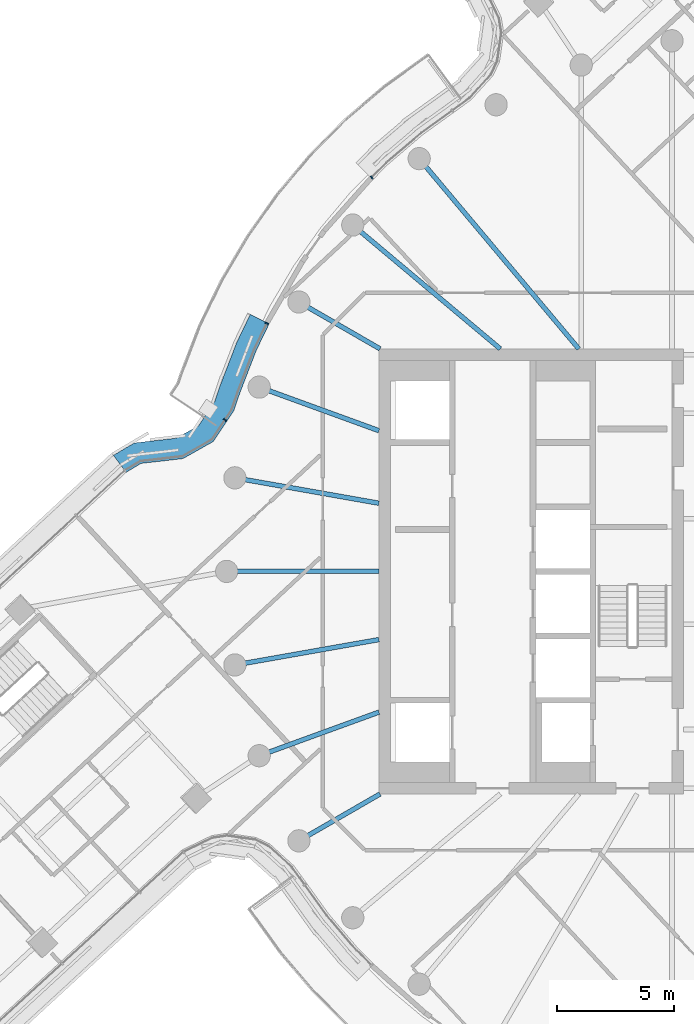
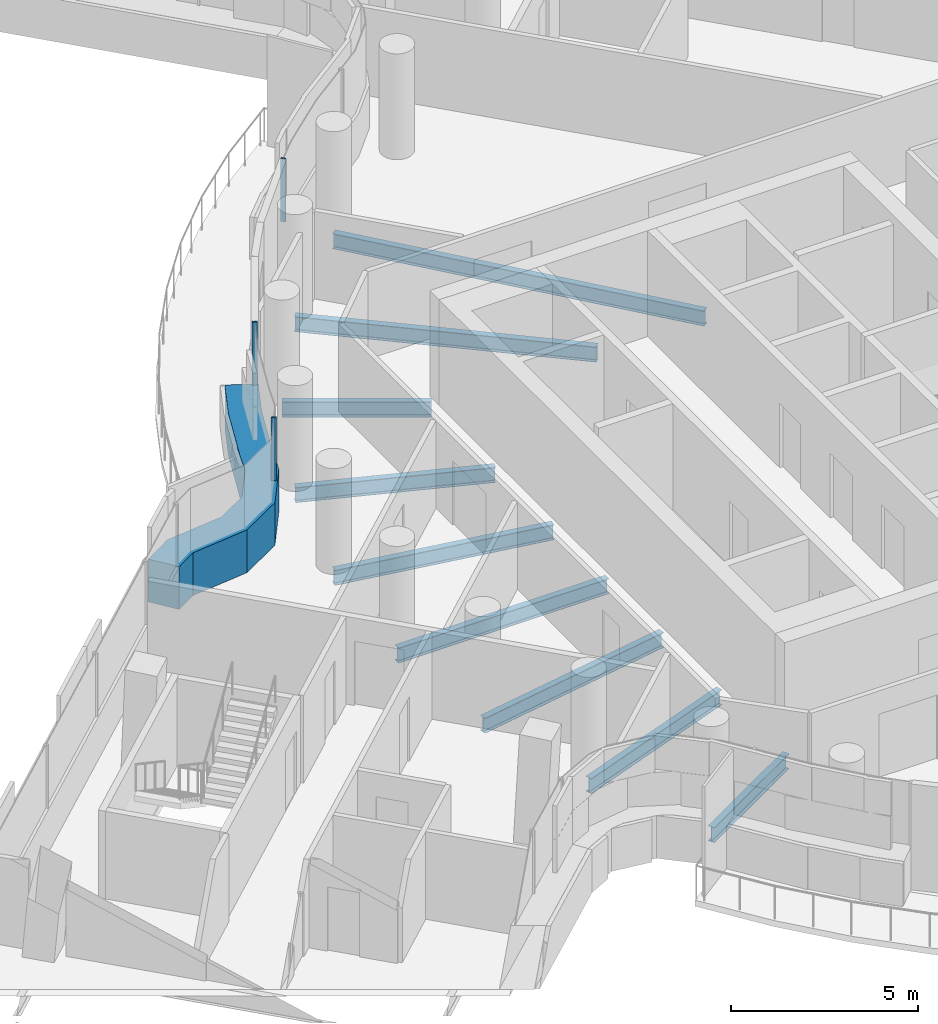
# One storey, part 10 of 34: 9 beams, 4 members, 1 element without a shape of its own.
"""IFC4 building model written with IfcOpenShell, lengths in metres."""

from ifc_helpers import new_model, si_unit, direction, frame, origin, origin_2d, place, context, subcontext, project, spatial, polyline, rectangle, i_section, outline, extrude, material, layer, layer_set, material_profile, profile_set, type_object, element, aggregate, save


model = new_model("IFC4")

# Units and contexts
model_context = context("Model", 3, precision=1e-05, world=origin(), true_north=direction((0.0, 1.0)))
body_context = subcontext(model_context, "Body", "Model", "MODEL_VIEW")
ifc_project = project(units=[si_unit("LENGTHUNIT", "METRE"), si_unit("AREAUNIT", "SQUARE_METRE"), si_unit("VOLUMEUNIT", "CUBIC_METRE"), si_unit("PLANEANGLEUNIT", "RADIAN"), si_unit("MASSUNIT", "GRAM", prefix="KILO")], contexts=[model_context])

# Site, building, storey
site_placement = place(None, origin())
site = spatial("IfcSite", under=ifc_project, at=site_placement, CompositionType="ELEMENT")
building_placement = place(site_placement, origin())
building = spatial("IfcBuilding", under=site, at=building_placement, Name="Tamarind Cross Interchange Tower", CompositionType="ELEMENT")
storey_placement = place(building_placement, frame((0.0, 0.0, 189.699951171875)))
storey = spatial("IfcBuildingStorey", under=building, at=storey_placement, Name="L47", CompositionType="ELEMENT", Elevation=189.699951171875)

# Beams
ifc_material_1 = material(Name="Steel Q355B", Category="steel")
ifc_material_profile_1 = material_profile(ifc_material_1, i_section(OverallWidth=0.198974609375, OverallDepth=0.49609375, WebThickness=0.009033203125, FlangeThickness=0.013916015625, FilletRadius=0.012939453125, at=origin_2d()), Name="HN 496x199x9x14")
ifc_profile_set_1 = profile_set([ifc_material_profile_1], Name="Steel Q355B")
beam_type = type_object("IfcBeamType", Name="Composite beam HN 496x199x9x14 Q355B", PredefinedType="BEAM", material=ifc_profile_set_1)
beam_1_placement = place(storey_placement, frame((-14.7841796875, 17.619140625, -0.387939453125), z_axis=(0.642786293979, -0.766045547127, 0.0), x_axis=(0.766045547127, 0.642786293979, 0.0)))
element("IfcBeam", 1, at=beam_1_placement, inside=storey, type_object=beam_type, Name="Beam HH13", PredefinedType="BEAM", context=body_context, shape_type="SweptSolid", body=[
    extrude(i_section(OverallWidth=0.198974609375, OverallDepth=0.49609375, WebThickness=0.009033203125, FlangeThickness=0.013916015625, FilletRadius=0.012939453125, at=origin_2d()), origin(), (0.0, 0.0, 1.0), 10.598876953125),
])
beam_2_placement = place(storey_placement, frame((-17.619140625, 14.7841796875, -0.387939453125), z_axis=(0.766040580814, -0.642792212574, 0.0), x_axis=(0.642792212574, 0.766040580814, 0.0)))
element("IfcBeam", 2, at=beam_2_placement, inside=storey, type_object=beam_type, Name="Beam HH14", PredefinedType="BEAM", context=body_context, shape_type="SweptSolid", body=[
    extrude(i_section(OverallWidth=0.198974609375, OverallDepth=0.49609375, WebThickness=0.009033203125, FlangeThickness=0.013916015625, FilletRadius=0.012939453125, at=origin_2d()), origin(), (0.0, 0.0, 1.0), 8.220703125),
])
beam_3_placement = place(storey_placement, frame((-19.918701171875, 11.5, -0.387939453125), z_axis=(0.866026010844, -0.49999894854, 0.0), x_axis=(0.49999894854, 0.866026010844, 0.0)))
element("IfcBeam", 3, at=beam_3_placement, inside=storey, type_object=beam_type, Name="Beam HH15", PredefinedType="BEAM", context=body_context, shape_type="SweptSolid", body=[
    extrude(i_section(OverallWidth=0.198974609375, OverallDepth=0.49609375, WebThickness=0.009033203125, FlangeThickness=0.013916015625, FilletRadius=0.012939453125, at=origin_2d()), origin(), (0.0, 0.0, 1.0), 4.0),
])
beam_4_placement = place(storey_placement, frame((-21.613037109375, 7.866455078125, -0.387939453125), z_axis=(0.939701685589, -0.341995236956, 0.0), x_axis=(0.341995236956, 0.939701685589, 0.0)))
element("IfcBeam", 4, at=beam_4_placement, inside=storey, type_object=beam_type, Name="Beam HH16", PredefinedType="BEAM", context=body_context, shape_type="SweptSolid", body=[
    extrude(i_section(OverallWidth=0.198974609375, OverallDepth=0.49609375, WebThickness=0.009033203125, FlangeThickness=0.013916015625, FilletRadius=0.012939453125, at=origin_2d()), origin(), (0.0, 0.0, 1.0), 5.441162109375),
])
beam_5_placement = place(storey_placement, frame((-22.650634765625, 3.993896484375, -0.387939453125), z_axis=(0.984809127561, -0.173640382036, 0.0), x_axis=(0.173640382036, 0.984809127561, 0.0)))
element("IfcBeam", 5, at=beam_5_placement, inside=storey, type_object=beam_type, Name="Beam HH17", PredefinedType="BEAM", context=body_context, shape_type="SweptSolid", body=[
    extrude(i_section(OverallWidth=0.198974609375, OverallDepth=0.49609375, WebThickness=0.009033203125, FlangeThickness=0.013916015625, FilletRadius=0.012939453125, at=origin_2d()), origin(), (0.0, 0.0, 1.0), 6.24560546875),
])
beam_6_placement = place(storey_placement, frame((-23.0, 0.0, -0.387939453125), z_axis=(1.0, 0.0, 0.0), x_axis=(0.0, 1.0, 0.0)))
element("IfcBeam", 6, at=beam_6_placement, inside=storey, type_object=beam_type, Name="Beam HH18", PredefinedType="BEAM", context=body_context, shape_type="SweptSolid", body=[
    extrude(i_section(OverallWidth=0.198974609375, OverallDepth=0.49609375, WebThickness=0.009033203125, FlangeThickness=0.013916015625, FilletRadius=0.012939453125, at=origin_2d()), origin(), (0.0, 0.0, 1.0), 6.5),
])
beam_7_placement = place(storey_placement, frame((-22.650634765625, -3.993896484375, -0.387939453125), z_axis=(0.984809127561, 0.173640382036, 0.0), x_axis=(-0.173640382036, 0.984809127561, 0.0)))
element("IfcBeam", 7, at=beam_7_placement, inside=storey, type_object=beam_type, Name="Beam HH19", PredefinedType="BEAM", context=body_context, shape_type="SweptSolid", body=[
    extrude(i_section(OverallWidth=0.198974609375, OverallDepth=0.49609375, WebThickness=0.009033203125, FlangeThickness=0.013916015625, FilletRadius=0.012939453125, at=origin_2d()), origin(), (0.0, 0.0, 1.0), 6.24560546875),
])
beam_8_placement = place(storey_placement, frame((-21.613037109375, -7.866455078125, -0.387939453125), z_axis=(0.939701685589, 0.341995236956, 0.0), x_axis=(-0.341995236956, 0.939701685589, 0.0)))
element("IfcBeam", 8, at=beam_8_placement, inside=storey, type_object=beam_type, Name="Beam HH20", PredefinedType="BEAM", context=body_context, shape_type="SweptSolid", body=[
    extrude(i_section(OverallWidth=0.198974609375, OverallDepth=0.49609375, WebThickness=0.009033203125, FlangeThickness=0.013916015625, FilletRadius=0.012939453125, at=origin_2d()), origin(), (0.0, 0.0, 1.0), 5.441162109375),
])
beam_9_placement = place(storey_placement, frame((-19.918701171875, -11.5, -0.387939453125), z_axis=(0.866026010844, 0.49999894854, 0.0), x_axis=(-0.49999894854, 0.866026010844, 0.0)))
element("IfcBeam", 9, at=beam_9_placement, inside=storey, type_object=beam_type, Name="Beam HH21", PredefinedType="BEAM", context=body_context, shape_type="SweptSolid", body=[
    extrude(i_section(OverallWidth=0.198974609375, OverallDepth=0.49609375, WebThickness=0.009033203125, FlangeThickness=0.013916015625, FilletRadius=0.012939453125, at=origin_2d()), origin(), (0.0, 0.0, 1.0), 4.0),
])

# Curtain wall, members
ifc_material_2 = material(Name="Aluminium 6063-T6", Category="aluminium")
ifc_layer = layer(ifc_material_2, 0.139892578125)
ifc_layer_set = layer_set([ifc_layer], Name="Aluminium 6063-T6")
curtain_wall_type = type_object("IfcCurtainWallType", Name="Hotel curtain wall, 4.5 m bays", PredefinedType="NOTDEFINED", material=ifc_layer_set)
curtain_wall_placement = place(storey_placement, origin())
curtain_wall = element("IfcCurtainWall", 10, at=curtain_wall_placement, inside=storey, type_object=curtain_wall_type, Name="CWS-L47-06", PredefinedType="NOTDEFINED")
ifc_material_3 = material(Name="Aluminium and insulated spandrel panel", Category="aluminium")
member_type_1 = type_object("IfcMemberType", Name="Floor-edge blade transom", PredefinedType="USERDEFINED", material=ifc_material_3)
member_1_placement = place(storey_placement, origin())
member_1 = element("IfcMember", 11, at=member_1_placement, type_object=member_type_1, Name="CWT-L47-06-1", ObjectType="TRANSOM", PredefinedType="USERDEFINED", context=body_context, shape_type="SweptSolid", body=[
    extrude(outline(polyline([(-21.1865234375, 10.571044921875), (-21.74072265625, 9.425048828125), (-22.44677734375, 7.591796875), (-22.6953125, 6.853759765625), (-23.572509765625, 5.54345703125), (-24.862548828125, 4.81494140625), (-25.878662109375, 4.696044921875), (-26.652099609375, 4.609619140625), (-27.29296875, 4.229248046875), (-27.834716796875, 4.954345703125), (-26.944580078125, 5.482421875), (-25.98095703125, 5.59033203125), (-25.147216796875, 5.687744140625), (-24.201416015625, 6.221923828125), (-23.510009765625, 7.254638671875), (-23.293701171875, 7.8974609375), (-22.567138671875, 9.783203125), (-21.991943359375, 10.972900390625), (-21.1865234375, 10.571044921875)])), origin(), (0.0, 0.0, 1.0), 1.400146484375),
])
ifc_material_profile_2 = material_profile(ifc_material_2, rectangle(XDim=0.06005859375, YDim=0.139892578125, at=origin_2d()), Name="Mullion CW2")
ifc_profile_set_2 = profile_set([ifc_material_profile_2], Name="Aluminium 6063-T6")
member_type_2 = type_object("IfcMemberType", Name="Mullion CW2", PredefinedType="MULLION", material=ifc_profile_set_2)
member_2_placement = place(storey_placement, frame((-16.80859375, 16.815185546875, 1.400146484375), z_axis=(0.0, 0.0, 1.0), x_axis=(-0.704057148523, -0.710143317658, 0.0)))
member_2 = element("IfcMember", 12, at=member_2_placement, type_object=member_type_2, Name="CWM-L47-06-02", PredefinedType="MULLION", context=body_context, shape_type="SweptSolid", body=[
    extrude(rectangle(XDim=0.06005859375, YDim=0.139892578125, at=origin_2d()), origin(), (0.0, 0.0, 1.0), 2.059814453125),
])
member_3_placement = place(storey_placement, frame((-21.288818359375, 10.5888671875, 1.400146484375), z_axis=(0.0, 0.0, 1.0), x_axis=(-0.435326231914, -0.900272776334, 0.0)))
member_3 = element("IfcMember", 13, at=member_3_placement, type_object=member_type_2, Name="CWM-L47-06-03", PredefinedType="MULLION", context=body_context, shape_type="SweptSolid", body=[
    extrude(rectangle(XDim=0.06005859375, YDim=0.139892578125, at=origin_2d()), origin(), (0.0, 0.0, 1.0), 2.059814453125),
])
member_4_placement = place(storey_placement, frame((-23.0732421875, 6.46875, 1.400146484375), z_axis=(0.0, 0.0, 1.0), x_axis=(-0.556323551983, -0.830965766749, 0.0)))
member_4 = element("IfcMember", 14, at=member_4_placement, type_object=member_type_2, Name="CWM-L47-06-04", PredefinedType="MULLION", context=body_context, shape_type="SweptSolid", body=[
    extrude(rectangle(XDim=0.06005859375, YDim=0.139892578125, at=origin_2d()), origin(), (0.0, 0.0, 1.0), 2.059814453125),
])
aggregate(curtain_wall, [member_2, member_3, member_4, member_1])

save(model, "model.ifc")
